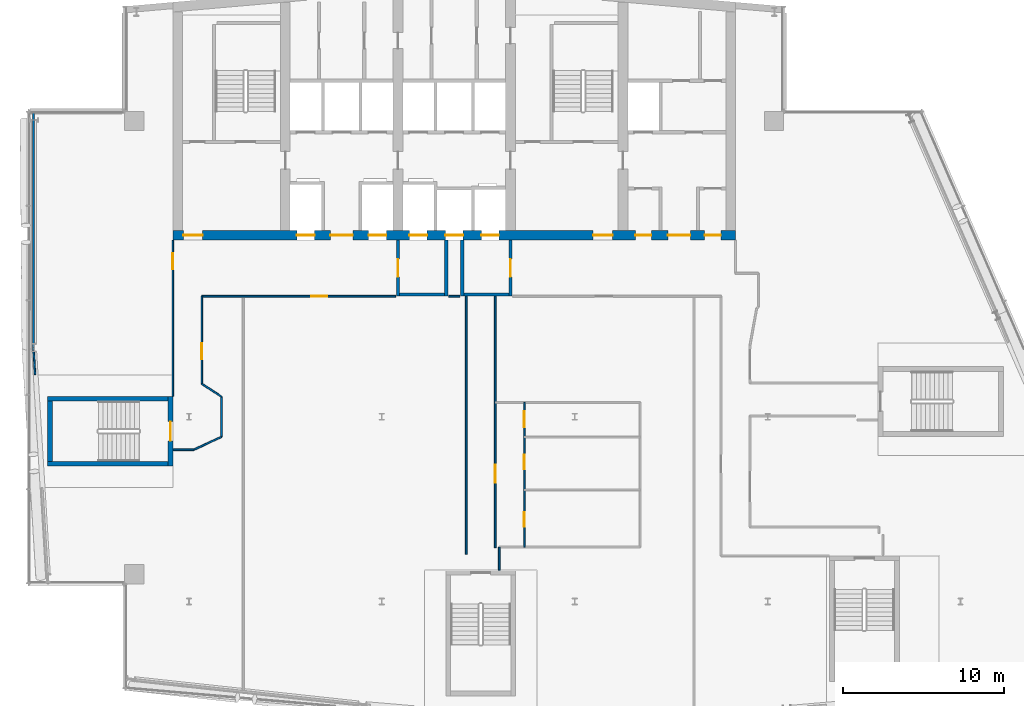
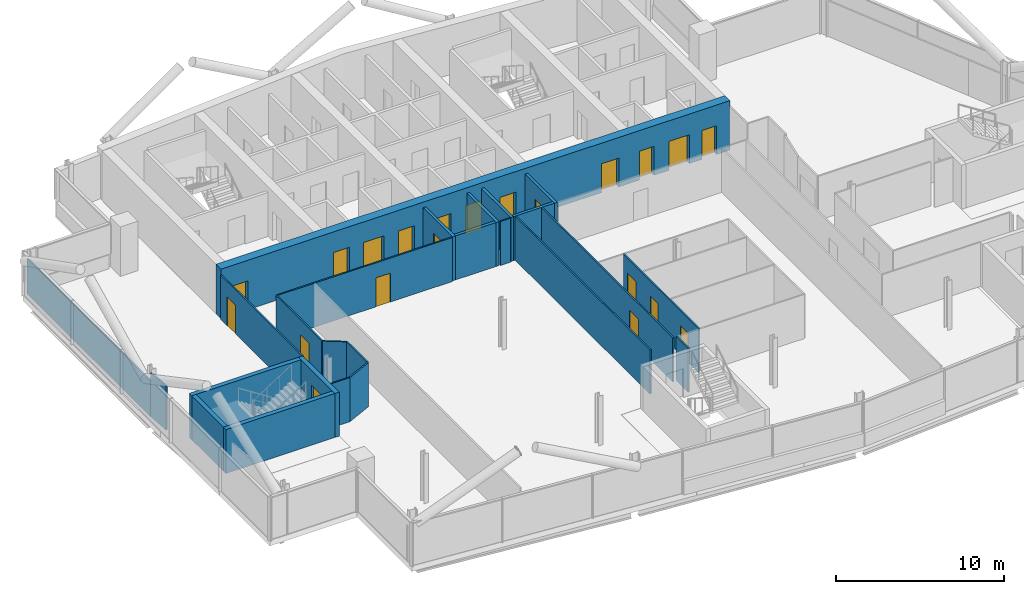
# One storey, part 15 of 25: 25 walls, 21 doors, 21 openings.
"""IFC4 building model written with IfcOpenShell, lengths in metres."""

import ifcopenshell
import ifcopenshell.guid

model = None  # the IFC model being written
_history = None  # IfcOwnerHistory: only IFC2X3 demands one
_inside = {}  # id of a spatial element -> (the spatial element, [elements in it])
_under = {}  # id of a project, library or spatial element -> (it, [spatial elements below it])
_declared = {}  # id of a project -> (the project, [libraries it declares])
_typed = {}  # id of a type object -> (the type object, [elements of that type])
_made_of = {}  # id of a material, layer set ... -> (it, [elements and type objects made of it])


def new_model(schema):
    """Start an empty IFC model of exactly this schema.

    Asked for "IFC4X3", IfcOpenShell would pick the latest addendum, in which some entities
    have other attributes; the version numbers below select the first issue.
    IFC2X3 requires an IfcOwnerHistory on every rooted entity: one is made here for all.
    """
    global model, _history
    if schema == "IFC4X3":
        model = ifcopenshell.file(schema_version=(4, 3, 0, 0))
    else:
        model = ifcopenshell.file(schema=schema)
    _inside.clear()
    _under.clear()
    _declared.clear()
    _typed.clear()
    _made_of.clear()
    _history = None
    if model.schema == "IFC2X3":
        org = make("IfcOrganization", Name="unknown")
        user = make(
            "IfcPersonAndOrganization",
            ThePerson=make("IfcPerson", FamilyName="unknown"),
            TheOrganization=org,
        )
        app = make(
            "IfcApplication",
            ApplicationDeveloper=org,
            Version="unknown",
            ApplicationFullName="unknown",
            ApplicationIdentifier="unknown",
        )
        _history = make(
            "IfcOwnerHistory",
            OwningUser=user,
            OwningApplication=app,
            ChangeAction="ADDED",
            CreationDate=0,
        )
    return model


def make(cls, **values):
    """One entity of the class cls with the attributes given. An attribute that is None is left unset."""
    return model.create_entity(
        cls, **{name: value for name, value in values.items() if value is not None}
    )


def rooted(cls, **values):
    """An entity with a GlobalId (a new one), such as an element, a storey or a relation."""
    return make(cls, GlobalId=ifcopenshell.guid.new(), OwnerHistory=_history, **values)


def si_unit(unit_type, name, prefix=None):
    """IfcSIUnit, for example si_unit("LENGTHUNIT", "METRE", prefix="MILLI")."""
    return make("IfcSIUnit", UnitType=unit_type, Prefix=prefix, Name=name)


def assignment(units):
    """IfcUnitAssignment: the units of a project."""
    return None if units is None else make("IfcUnitAssignment", Units=units)


def point(xyz):
    """IfcCartesianPoint."""
    return None if xyz is None else make("IfcCartesianPoint", Coordinates=xyz)


def direction(xyz):
    """IfcDirection."""
    return None if xyz is None else make("IfcDirection", DirectionRatios=xyz)


def frame(location, z_axis=None, x_axis=None):
    """IfcAxis2Placement3D, a coordinate frame: its origin and axes. An axis left out is left unset."""
    return make(
        "IfcAxis2Placement3D",
        Location=point(location),
        Axis=direction(z_axis),
        RefDirection=direction(x_axis),
    )


def frame_2d(location, x_axis=None):
    """IfcAxis2Placement2D, a coordinate frame in the plane: its origin and x axis."""
    return make(
        "IfcAxis2Placement2D", Location=point(location), RefDirection=direction(x_axis)
    )


def origin():
    """The frame at (0, 0, 0) with its axes left unset."""
    return frame((0.0, 0.0, 0.0))


def place(relative_to, where):
    """IfcLocalPlacement: puts the frame where relative to a parent placement (None: the world)."""
    return make(
        "IfcLocalPlacement", PlacementRelTo=relative_to, RelativePlacement=where
    )


def context(
    kind, dimensions, precision=None, world=None, true_north=None, identifier=None
):
    """IfcGeometricRepresentationContext, for example the 3D "Model" context."""
    return make(
        "IfcGeometricRepresentationContext",
        ContextIdentifier=identifier,
        ContextType=kind,
        CoordinateSpaceDimension=dimensions,
        Precision=precision,
        WorldCoordinateSystem=world,
        TrueNorth=true_north,
    )


def subcontext(parent, identifier, kind, view, scale=None):
    """IfcGeometricRepresentationSubContext, for example "Body" below "Model"."""
    return make(
        "IfcGeometricRepresentationSubContext",
        ContextIdentifier=identifier,
        ContextType=kind,
        ParentContext=parent,
        TargetScale=scale,
        TargetView=view,
    )


def project(units=None, contexts=None):
    """IfcProject with its units and contexts."""
    return rooted(
        "IfcProject",
        Name="project",
        RepresentationContexts=contexts,
        UnitsInContext=assignment(units),
    )


def spatial(cls, under=None, at=None, **own):
    """A site, building, storey or space (cls), placed at a placement, below another one or the project."""
    s = rooted(cls, ObjectPlacement=at, **own)
    if under is not None:
        _under.setdefault(under.id(), (under, []))[1].append(s)
    return s


def profile(cls, at=None, kind="AREA", **sizes):
    """A parametric profile (cls). Its sizes go by their IFC names, for example OverallWidth=200.0."""
    return make(cls, ProfileType=kind, Position=at, **sizes)


def rectangle(**sizes):
    """IfcRectangleProfileDef."""
    return profile("IfcRectangleProfileDef", **sizes)


def extrude(swept, where, along, depth):
    """IfcExtrudedAreaSolid: the profile swept, set in the frame where, extruded along a direction by depth."""
    return make(
        "IfcExtrudedAreaSolid",
        SweptArea=swept,
        Position=where,
        ExtrudedDirection=direction(along),
        Depth=depth,
    )


def shape(context_of_items, identifier, shape_type, items):
    """IfcShapeRepresentation: the items that make up one representation, for example the "Body"."""
    return make(
        "IfcShapeRepresentation",
        ContextOfItems=context_of_items,
        RepresentationIdentifier=identifier,
        RepresentationType=shape_type,
        Items=items,
    )


def material(Name=None, Category=None):
    """IfcMaterial."""
    return make("IfcMaterial", Name=Name, Category=Category)


def layer(
    of_material, thickness, ventilated=None, Name=None, Category=None, Priority=None
):
    """IfcMaterialLayer: one layer of a wall or slab, of a material (None: an air gap)."""
    return make(
        "IfcMaterialLayer",
        Material=of_material,
        LayerThickness=thickness,
        IsVentilated=ventilated,
        Name=Name,
        Category=Category,
        Priority=Priority,
    )


def layer_set(layers, Name=None):
    """IfcMaterialLayerSet."""
    return make("IfcMaterialLayerSet", MaterialLayers=layers, LayerSetName=Name)


def made_of(thing, what):
    """Note that an element or type object is made of a material, layer set ...; save() writes the relation."""
    if what is not None:
        _made_of.setdefault(what.id(), (what, []))[1].append(thing)
    return thing


def type_object(cls, material=None, **own):
    """A type object (cls), such as IfcWallType, which elements share."""
    return made_of(rooted(cls, **own), material)


def element(
    cls,
    number,
    at=None,
    inside=None,
    cuts=None,
    type_object=None,
    material=None,
    context=None,
    identifier="Body",
    shape_type=None,
    held_by="IfcProductDefinitionShape",
    body=None,
    shapes=None,
    **own,
):
    """One element of the class cls, such as IfcWall. Its Tag is "e" and its number.

    at: its placement. inside: the storey or other place that contains it. cuts: it is an
    opening in that element (IfcRelVoidsElement). A single representation is given by context,
    identifier, shape_type and body (its items); several are given by shapes. held_by: the class
    of the entity that holds the representations. save() writes the other relations.
    """
    e = rooted(cls, Tag="e%d" % number, ObjectPlacement=at, **own)
    if body is not None:
        shapes = [shape(context, identifier, shape_type, body)]
    if shapes is not None:
        e.Representation = make(held_by, Representations=shapes)
    if inside is not None:
        _inside.setdefault(inside.id(), (inside, []))[1].append(e)
    if cuts is not None:
        rooted(
            "IfcRelVoidsElement", RelatingBuildingElement=cuts, RelatedOpeningElement=e
        )
    if type_object is not None:
        _typed.setdefault(type_object.id(), (type_object, []))[1].append(e)
    return made_of(e, material)


def fill(opening, filler):
    """IfcRelFillsElement: the door or window that sits in an opening."""
    return rooted(
        "IfcRelFillsElement",
        RelatingOpeningElement=opening,
        RelatedBuildingElement=filler,
    )


def aggregate(whole, parts):
    """IfcRelAggregates: a whole, such as a stair, and the parts it consists of."""
    return rooted("IfcRelAggregates", RelatingObject=whole, RelatedObjects=parts)


def save(model, path):
    """Write the relations noted so far, then the file.

    IfcRelAggregates (storeys below a building ...), IfcRelContainedInSpatialStructure (elements
    in a storey), IfcRelDefinesByType, IfcRelAssociatesMaterial and IfcRelDeclares: one each for
    every whole, place, type object, material and project.
    """
    for whole, parts in _under.values():
        aggregate(whole, parts)
    for where, things in _inside.values():
        rooted(
            "IfcRelContainedInSpatialStructure",
            RelatedElements=things,
            RelatingStructure=where,
        )
    for kind, things in _typed.values():
        rooted("IfcRelDefinesByType", RelatedObjects=things, RelatingType=kind)
    for what, things in _made_of.values():
        rooted("IfcRelAssociatesMaterial", RelatedObjects=things, RelatingMaterial=what)
    for by, libraries in _declared.values():
        rooted("IfcRelDeclares", RelatingContext=by, RelatedDefinitions=libraries)
    model.write(path)


model = new_model("IFC4")

# Units and contexts
model_context = context("Model", 3, precision=1e-05, world=origin(), true_north=direction((0.0, 1.0)))
body_context = subcontext(model_context, "Body", "Model", "MODEL_VIEW")
ifc_project = project(units=[si_unit("LENGTHUNIT", "METRE"), si_unit("AREAUNIT", "SQUARE_METRE"), si_unit("VOLUMEUNIT", "CUBIC_METRE"), si_unit("PLANEANGLEUNIT", "RADIAN"), si_unit("MASSUNIT", "GRAM", prefix="KILO")], contexts=[model_context])

# Site, building, storey
site_placement = place(None, origin())
site = spatial("IfcSite", under=ifc_project, at=site_placement, CompositionType="ELEMENT")
building_placement = place(site_placement, origin())
building = spatial("IfcBuilding", under=site, at=building_placement, Name="Wharfspan Tower", CompositionType="ELEMENT")
storey_placement = place(building_placement, frame((0.0, 0.0, 239.5)))
storey = spatial("IfcBuildingStorey", under=building, at=storey_placement, Name="L60", CompositionType="ELEMENT", Elevation=239.5)

# Wall, opening, door
ifc_material_1 = material(Name="Gypsum board on steel studs", Category="steel")
ifc_layer_1 = layer(ifc_material_1, 0.100098)
ifc_layer_set_1 = layer_set([ifc_layer_1], Name="Gypsum board on steel studs")
wall_type_1 = type_object("IfcWallType", Name="Compartment wall 100 EI 60", PredefinedType="PARTITIONING", material=ifc_layer_set_1)
wall_1_placement = place(storey_placement, frame((23.0, 24.274902, 0.0), z_axis=(0.0, 0.0, 1.0), x_axis=(0.0, 1.0, 0.0)))
wall_1 = element("IfcWall", 1, at=wall_1_placement, inside=storey, type_object=wall_type_1, Name="Partition L60.w004", PredefinedType="PARTITIONING", context=body_context, shape_type="SweptSolid", body=[
    extrude(rectangle(XDim=9.705078, YDim=0.100098, at=frame_2d((4.852539, 0.0))), origin(), (0.0, 0.0, 1.0), 3.199951),
])
opening_1_placement = place(wall_1_placement, frame((7.905029, 0.0, 0.0)))
opening_1 = element("IfcOpeningElement", 2, at=opening_1_placement, cuts=wall_1, Name="Opening D4-11", PredefinedType="OPENING", context=body_context, shape_type="SweptSolid", body=[
    extrude(rectangle(XDim=1.0, YDim=2.100098, at=frame_2d((0.5, 1.050049))), frame((0.0, 0.060059, 0.0), z_axis=(0.0, -1.0, 0.0), x_axis=(1.0, 0.0, 0.0)), (0.0, 0.0, 1.0), 0.120117),
])
ifc_material_2 = material(Name="Fire-rated timber door leaf in steel frame", Category="steel")
door_type_1 = type_object("IfcDoorType", Name="Door 1000 FD30S Right", OperationType="SINGLE_SWING_RIGHT", PredefinedType="DOOR", material=ifc_material_2)
door_1_placement = place(opening_1_placement, origin())
door_1 = element("IfcDoor", 3, at=door_1_placement, inside=storey, type_object=door_type_1, Name="Door D4-11", OperationType="SINGLE_SWING_RIGHT", OverallHeight=2.100098, OverallWidth=1.0, PredefinedType="DOOR", context=body_context, shape_type="SweptSolid", body=[
    extrude(rectangle(XDim=1.0, YDim=2.100098, at=frame_2d((0.5, 1.050049))), frame((0.0, 0.024902, 0.0), z_axis=(0.0, -1.0, 0.0), x_axis=(1.0, 0.0, 0.0)), (0.0, 0.0, 1.0), 0.050049),
])
fill(opening_1, door_1)

# Walls
wall_2_placement = place(storey_placement, frame((23.02002, 20.949951, 0.0), z_axis=(0.0, 0.0, 1.0), x_axis=(1.0, 0.0, 0.0)))
element("IfcWall", 4, at=wall_2_placement, inside=storey, type_object=wall_type_1, Name="Partition L60.w005", PredefinedType="PARTITIONING", context=body_context, shape_type="SweptSolid", body=[
    extrude(rectangle(XDim=1.280029, YDim=0.100098, at=frame_2d((0.640137, 0.0))), origin(), (0.0, 0.0, 1.0), 3.199951),
])
wall_3_placement = place(storey_placement, frame((24.300049, 20.949951, 0.0), z_axis=(0.0, 0.0, 1.0), x_axis=(0.907168, 0.420777, 0.0)))
element("IfcWall", 5, at=wall_3_placement, inside=storey, type_object=wall_type_1, Name="Partition L60.w006", PredefinedType="PARTITIONING", context=body_context, shape_type="SweptSolid", body=[
    extrude(rectangle(XDim=1.901367, YDim=0.100098, at=frame_2d((0.950684, 0.0))), origin(), (0.0, 0.0, 1.0), 3.199951),
])

# Wall, opening, door
wall_4_placement = place(storey_placement, frame((24.800049, 25.050049, 0.0), z_axis=(0.0, 0.0, 1.0), x_axis=(0.0, 1.0, 0.0)))
wall_4 = element("IfcWall", 6, at=wall_4_placement, inside=storey, type_object=wall_type_1, Name="Partition L60.w007", PredefinedType="PARTITIONING", context=body_context, shape_type="SweptSolid", body=[
    extrude(rectangle(XDim=5.449951, YDim=0.100098, at=frame_2d((2.725098, 0.0))), origin(), (0.0, 0.0, 1.0), 3.199951),
])
opening_2_placement = place(wall_4_placement, frame((1.536865, 0.0, 0.0)))
opening_2 = element("IfcOpeningElement", 7, at=opening_2_placement, cuts=wall_4, Name="Opening D4-08", PredefinedType="OPENING", context=body_context, shape_type="SweptSolid", body=[
    extrude(rectangle(XDim=1.0, YDim=2.100098, at=frame_2d((0.5, 1.050049))), frame((0.0, 0.060059, 0.0), z_axis=(0.0, -1.0, 0.0), x_axis=(1.0, 0.0, 0.0)), (0.0, 0.0, 1.0), 0.120117),
])
door_type_2 = type_object("IfcDoorType", Name="Door 1000 FD30S Left", OperationType="SINGLE_SWING_LEFT", PredefinedType="DOOR", material=ifc_material_2)
door_2_placement = place(opening_2_placement, origin())
door_2 = element("IfcDoor", 8, at=door_2_placement, inside=storey, type_object=door_type_2, Name="Door D4-08", OperationType="SINGLE_SWING_LEFT", OverallHeight=2.100098, OverallWidth=1.0, PredefinedType="DOOR", context=body_context, shape_type="SweptSolid", body=[
    extrude(rectangle(XDim=1.0, YDim=2.100098, at=frame_2d((0.5, 1.050049))), frame((0.0, 0.024902, 0.0), z_axis=(0.0, -1.0, 0.0), x_axis=(1.0, 0.0, 0.0)), (0.0, 0.0, 1.0), 0.050049),
])
fill(opening_2, door_2)

wall_5_placement = place(storey_placement, frame((24.800049, 30.5, 0.0), z_axis=(0.0, 0.0, 1.0), x_axis=(1.0, 0.0, 0.0)))
wall_5 = element("IfcWall", 9, at=wall_5_placement, inside=storey, type_object=wall_type_1, Name="Partition L60.w008", PredefinedType="PARTITIONING", context=body_context, shape_type="SweptSolid", body=[
    extrude(rectangle(XDim=12.050049, YDim=0.100098, at=frame_2d((6.024902, 0.0))), origin(), (0.0, 0.0, 1.0), 3.199951),
])
opening_3_placement = place(wall_5_placement, frame((6.794922, 0.0, 0.0)))
opening_3 = element("IfcOpeningElement", 10, at=opening_3_placement, cuts=wall_5, Name="Opening D4-09", PredefinedType="OPENING", context=body_context, shape_type="SweptSolid", body=[
    extrude(rectangle(XDim=1.0, YDim=2.100098, at=frame_2d((0.5, 1.050049))), frame((0.0, 0.060059, 0.0), z_axis=(0.0, -1.0, 0.0), x_axis=(1.0, 0.0, 0.0)), (0.0, 0.0, 1.0), 0.120117),
])
door_3_placement = place(opening_3_placement, origin())
door_3 = element("IfcDoor", 11, at=door_3_placement, inside=storey, type_object=door_type_2, Name="Door D4-09", OperationType="SINGLE_SWING_LEFT", OverallHeight=2.100098, OverallWidth=1.0, PredefinedType="DOOR", context=body_context, shape_type="SweptSolid", body=[
    extrude(rectangle(XDim=1.0, YDim=2.100098, at=frame_2d((0.5, 1.050049))), frame((0.0, 0.024902, 0.0), z_axis=(0.0, -1.0, 0.0), x_axis=(1.0, 0.0, 0.0)), (0.0, 0.0, 1.0), 0.050049),
])
fill(opening_3, door_3)

# Walls
wall_6_placement = place(storey_placement, frame((26.024902, 21.75, 0.0), z_axis=(0.0, 0.0, 1.0), x_axis=(0.0, 1.0, 0.0)))
element("IfcWall", 12, at=wall_6_placement, inside=storey, type_object=wall_type_1, Name="Partition L60.w009", PredefinedType="PARTITIONING", context=body_context, shape_type="SweptSolid", body=[
    extrude(rectangle(XDim=2.5, YDim=0.100098, at=frame_2d((1.25, 0.0))), origin(), (0.0, 0.0, 1.0), 3.199951),
])
wall_7_placement = place(storey_placement, frame((26.024902, 24.25, 0.0), z_axis=(0.0, 0.0, 1.0), x_axis=(-0.837222, 0.546856, 0.0)))
element("IfcWall", 13, at=wall_7_placement, inside=storey, type_object=wall_type_1, Name="Partition L60.w010", PredefinedType="PARTITIONING", context=body_context, shape_type="SweptSolid", body=[
    extrude(rectangle(XDim=1.462891, YDim=0.100098, at=frame_2d((0.731445, 0.0))), origin(), (0.0, 0.0, 1.0), 3.199951),
])
wall_8_placement = place(storey_placement, frame((41.25, 14.443115, 0.0), z_axis=(0.0, 0.0, 1.0), x_axis=(0.0, 1.0, 0.0)))
element("IfcWall", 14, at=wall_8_placement, inside=storey, type_object=wall_type_1, Name="Partition L60.w013", PredefinedType="PARTITIONING", context=body_context, shape_type="SweptSolid", body=[
    extrude(rectangle(XDim=16.056885, YDim=0.100098, at=frame_2d((8.02832, 0.0))), origin(), (0.0, 0.0, 1.0), 3.199951),
])

# Wall, opening, door
wall_9_placement = place(storey_placement, frame((43.054932, 14.860107, 0.0), z_axis=(0.0, 0.0, 1.0), x_axis=(0.0, 1.0, 0.0)))
wall_9 = element("IfcWall", 15, at=wall_9_placement, inside=storey, type_object=wall_type_1, Name="Partition L60.w014", PredefinedType="PARTITIONING", context=body_context, shape_type="SweptSolid", body=[
    extrude(rectangle(XDim=15.639893, YDim=0.100098, at=frame_2d((7.819824, 0.0))), origin(), (0.0, 0.0, 1.0), 3.199951),
])
opening_4_placement = place(wall_9_placement, frame((4.050049, 0.0, 0.0)))
opening_4 = element("IfcOpeningElement", 16, at=opening_4_placement, cuts=wall_9, Name="Opening D4-03", PredefinedType="OPENING", context=body_context, shape_type="SweptSolid", body=[
    extrude(rectangle(XDim=1.100098, YDim=2.100098, at=frame_2d((0.550049, 1.050049))), frame((0.0, 0.060059, 0.0), z_axis=(0.0, -1.0, 0.0), x_axis=(1.0, 0.0, 0.0)), (0.0, 0.0, 1.0), 0.120117),
])
door_type_3 = type_object("IfcDoorType", Name="Door 1100 FD30S Left", OperationType="SINGLE_SWING_LEFT", PredefinedType="DOOR", material=ifc_material_2)
door_4_placement = place(opening_4_placement, origin())
door_4 = element("IfcDoor", 17, at=door_4_placement, inside=storey, type_object=door_type_3, Name="Door D4-03", OperationType="SINGLE_SWING_LEFT", OverallHeight=2.100098, OverallWidth=1.100098, PredefinedType="DOOR", context=body_context, shape_type="SweptSolid", body=[
    extrude(rectangle(XDim=1.100098, YDim=2.100098, at=frame_2d((0.550049, 1.050049))), frame((0.0, 0.024902, 0.0), z_axis=(0.0, -1.0, 0.0), x_axis=(1.0, 0.0, 0.0)), (0.0, 0.0, 1.0), 0.050049),
])
fill(opening_4, door_4)

# Walls
wall_10_placement = place(storey_placement, frame((43.304932, 13.463135, 0.0), z_axis=(0.0, 0.0, 1.0), x_axis=(0.0, 1.0, 0.0)))
element("IfcWall", 18, at=wall_10_placement, inside=storey, type_object=wall_type_1, Name="Partition L60.w017", PredefinedType="PARTITIONING", context=body_context, shape_type="SweptSolid", body=[
    extrude(rectangle(XDim=1.431885, YDim=0.100098, at=frame_2d((0.71582, 0.0))), origin(), (0.0, 0.0, 1.0), 3.199951),
])
wall_11_placement = place(storey_placement, frame((40.149902, 30.5, 0.0), z_axis=(0.0, 0.0, 1.0), x_axis=(1.0, 0.0, 0.0)))
element("IfcWall", 19, at=wall_11_placement, inside=storey, type_object=wall_type_1, Name="Partition L60.w008 (2)", PredefinedType="PARTITIONING", context=body_context, shape_type="SweptSolid", body=[
    extrude(rectangle(XDim=0.700195, YDim=0.100098, at=frame_2d((0.350098, 0.0))), origin(), (0.0, 0.0, 1.0), 3.199951),
])

# Wall, openings, doors
ifc_material_3 = material(Name="Concrete C50/60", Category="concrete")
ifc_layer_2 = layer(ifc_material_3, 0.600098)
ifc_layer_set_2 = layer_set([ifc_layer_2], Name="Concrete C50/60")
wall_type_2 = type_object("IfcWallType", Name="Core wall 600 C50/60", PredefinedType="SHEAR", material=ifc_layer_set_2)
wall_12_placement = place(storey_placement, frame((23.0, 34.300049, 0.0), z_axis=(0.0, 0.0, 1.0), x_axis=(1.0, 0.0, 0.0)))
wall_12 = element("IfcWall", 20, at=wall_12_placement, inside=storey, type_object=wall_type_2, Name="Core front wall L60", PredefinedType="SHEAR", context=body_context, shape_type="SweptSolid", body=[
    extrude(rectangle(XDim=35.0, YDim=0.600098, at=frame_2d((17.5, 0.0))), origin(), (0.0, 0.0, 1.0), 3.600098),
])
opening_5_placement = place(wall_12_placement, frame((0.649902, 0.0, 0.0)))
opening_5 = element("IfcOpeningElement", 21, at=opening_5_placement, cuts=wall_12, Name="Opening SV2.L60", PredefinedType="OPENING", context=body_context, shape_type="SweptSolid", body=[
    extrude(rectangle(XDim=1.199951, YDim=2.100098, at=frame_2d((0.600098, 1.050049))), frame((0.0, 0.310059, 0.0), z_axis=(0.0, -1.0, 0.0), x_axis=(1.0, 0.0, 0.0)), (0.0, 0.0, 1.0), 0.620117),
])
opening_6_placement = place(wall_12_placement, frame((7.716797, 0.0, 0.0)))
opening_6 = element("IfcOpeningElement", 22, at=opening_6_placement, cuts=wall_12, Name="Opening LD.SL1.L60", PredefinedType="OPENING", context=body_context, shape_type="SweptSolid", body=[
    extrude(rectangle(XDim=1.100098, YDim=2.100098, at=frame_2d((0.550049, 1.050049))), frame((0.0, 0.310059, 0.0), z_axis=(0.0, -1.0, 0.0), x_axis=(1.0, 0.0, 0.0)), (0.0, 0.0, 1.0), 0.620117),
])
opening_7_placement = place(wall_12_placement, frame((12.18335, 0.0, 0.0)))
opening_7 = element("IfcOpeningElement", 23, at=opening_7_placement, cuts=wall_12, Name="Opening LD.SL2.L60", PredefinedType="OPENING", context=body_context, shape_type="SweptSolid", body=[
    extrude(rectangle(XDim=1.100098, YDim=2.100098, at=frame_2d((0.550049, 1.050049))), frame((0.0, 0.310059, 0.0), z_axis=(0.0, -1.0, 0.0), x_axis=(1.0, 0.0, 0.0)), (0.0, 0.0, 1.0), 0.620117),
])
opening_8_placement = place(wall_12_placement, frame((9.800049, 0.0, 0.0)))
opening_8 = element("IfcOpeningElement", 24, at=opening_8_placement, cuts=wall_12, Name="Opening HD60.3", PredefinedType="OPENING", context=body_context, shape_type="SweptSolid", body=[
    extrude(rectangle(XDim=1.399902, YDim=2.100098, at=frame_2d((0.699951, 1.050049))), frame((0.0, 0.310059, 0.0), z_axis=(0.0, -1.0, 0.0), x_axis=(1.0, 0.0, 0.0)), (0.0, 0.0, 1.0), 0.620117),
])
opening_9_placement = place(wall_12_placement, frame((14.716797, 0.0, 0.0)))
opening_9 = element("IfcOpeningElement", 25, at=opening_9_placement, cuts=wall_12, Name="Opening LD.FF1.L60", PredefinedType="OPENING", context=body_context, shape_type="SweptSolid", body=[
    extrude(rectangle(XDim=1.100098, YDim=2.100098, at=frame_2d((0.550049, 1.050049))), frame((0.0, 0.310059, 0.0), z_axis=(0.0, -1.0, 0.0), x_axis=(1.0, 0.0, 0.0)), (0.0, 0.0, 1.0), 0.620117),
])
opening_10_placement = place(wall_12_placement, frame((16.949951, 0.0, 0.0)))
opening_10 = element("IfcOpeningElement", 26, at=opening_10_placement, cuts=wall_12, Name="Opening LD.LB7.L60", PredefinedType="OPENING", context=body_context, shape_type="SweptSolid", body=[
    extrude(rectangle(XDim=1.100098, YDim=2.100098, at=frame_2d((0.550049, 1.050049))), frame((0.0, 0.310059, 0.0), z_axis=(0.0, -1.0, 0.0), x_axis=(1.0, 0.0, 0.0)), (0.0, 0.0, 1.0), 0.620117),
])
opening_11_placement = place(wall_12_placement, frame((19.18335, 0.0, 0.0)))
opening_11 = element("IfcOpeningElement", 27, at=opening_11_placement, cuts=wall_12, Name="Opening LD.FF2.L60", PredefinedType="OPENING", context=body_context, shape_type="SweptSolid", body=[
    extrude(rectangle(XDim=1.100098, YDim=2.100098, at=frame_2d((0.550049, 1.050049))), frame((0.0, 0.310059, 0.0), z_axis=(0.0, -1.0, 0.0), x_axis=(1.0, 0.0, 0.0)), (0.0, 0.0, 1.0), 0.620117),
])
opening_12_placement = place(wall_12_placement, frame((26.149902, 0.0, 0.0)))
opening_12 = element("IfcOpeningElement", 28, at=opening_12_placement, cuts=wall_12, Name="Opening SV5.L60", PredefinedType="OPENING", context=body_context, shape_type="SweptSolid", body=[
    extrude(rectangle(XDim=1.199951, YDim=2.100098, at=frame_2d((0.600098, 1.050049))), frame((0.0, 0.310059, 0.0), z_axis=(0.0, -1.0, 0.0), x_axis=(1.0, 0.0, 0.0)), (0.0, 0.0, 1.0), 0.620117),
])
opening_13_placement = place(wall_12_placement, frame((28.766602, 0.0, 0.0)))
opening_13 = element("IfcOpeningElement", 29, at=opening_13_placement, cuts=wall_12, Name="Opening CD60.6F1", PredefinedType="OPENING", context=body_context, shape_type="SweptSolid", body=[
    extrude(rectangle(XDim=1.0, YDim=2.100098, at=frame_2d((0.5, 1.050049))), frame((0.0, 0.310059, 0.0), z_axis=(0.0, -1.0, 0.0), x_axis=(1.0, 0.0, 0.0)), (0.0, 0.0, 1.0), 0.620117),
])
opening_14_placement = place(wall_12_placement, frame((33.083252, 0.0, 0.0)))
opening_14 = element("IfcOpeningElement", 30, at=opening_14_placement, cuts=wall_12, Name="Opening CD60.6F3", PredefinedType="OPENING", context=body_context, shape_type="SweptSolid", body=[
    extrude(rectangle(XDim=1.0, YDim=2.100098, at=frame_2d((0.5, 1.050049))), frame((0.0, 0.310059, 0.0), z_axis=(0.0, -1.0, 0.0), x_axis=(1.0, 0.0, 0.0)), (0.0, 0.0, 1.0), 0.620117),
])
opening_15_placement = place(wall_12_placement, frame((30.800049, 0.0, 0.0)))
opening_15 = element("IfcOpeningElement", 31, at=opening_15_placement, cuts=wall_12, Name="Opening HD60.6", PredefinedType="OPENING", context=body_context, shape_type="SweptSolid", body=[
    extrude(rectangle(XDim=1.399902, YDim=2.100098, at=frame_2d((0.699951, 1.050049))), frame((0.0, 0.310059, 0.0), z_axis=(0.0, -1.0, 0.0), x_axis=(1.0, 0.0, 0.0)), (0.0, 0.0, 1.0), 0.620117),
])
ifc_material_4 = material(Name="Steel door leaf", Category="steel")
door_type_4 = type_object("IfcDoorType", Name="Core room door 1000x2100", OperationType="SINGLE_SWING_LEFT", PredefinedType="DOOR", material=ifc_material_4)
door_5_placement = place(opening_13_placement, origin())
door_5 = element("IfcDoor", 32, at=door_5_placement, inside=storey, type_object=door_type_4, Name="d:L60:6:fd6.1", OperationType="SINGLE_SWING_LEFT", OverallHeight=2.100098, OverallWidth=1.0, PredefinedType="DOOR", context=body_context, shape_type="SweptSolid", body=[
    extrude(rectangle(XDim=1.0, YDim=2.100098, at=frame_2d((0.5, 1.050049))), frame((0.0, 0.024902, 0.0), z_axis=(0.0, -1.0, 0.0), x_axis=(1.0, 0.0, 0.0)), (0.0, 0.0, 1.0), 0.050049),
])
fill(opening_13, door_5)
door_6_placement = place(opening_14_placement, origin())
door_6 = element("IfcDoor", 33, at=door_6_placement, inside=storey, type_object=door_type_4, Name="d:L60:6:fd6.3", OperationType="SINGLE_SWING_LEFT", OverallHeight=2.100098, OverallWidth=1.0, PredefinedType="DOOR", context=body_context, shape_type="SweptSolid", body=[
    extrude(rectangle(XDim=1.0, YDim=2.100098, at=frame_2d((0.5, 1.050049))), frame((0.0, 0.024902, 0.0), z_axis=(0.0, -1.0, 0.0), x_axis=(1.0, 0.0, 0.0)), (0.0, 0.0, 1.0), 0.050049),
])
fill(opening_14, door_6)
door_type_5 = type_object("IfcDoorType", Name="Hall entry door 1400x2100", OperationType="DOUBLE_DOOR_SINGLE_SWING", PredefinedType="DOOR", material=ifc_material_4)
door_7_placement = place(opening_8_placement, origin())
door_7 = element("IfcDoor", 34, at=door_7_placement, inside=storey, type_object=door_type_5, Name="d:L60:3:hd3", OperationType="DOUBLE_DOOR_SINGLE_SWING", OverallHeight=2.100098, OverallWidth=1.399902, PredefinedType="DOOR", context=body_context, shape_type="SweptSolid", body=[
    extrude(rectangle(XDim=1.399902, YDim=2.100098, at=frame_2d((0.699951, 1.050049))), frame((0.0, 0.024902, 0.0), z_axis=(0.0, -1.0, 0.0), x_axis=(1.0, 0.0, 0.0)), (0.0, 0.0, 1.0), 0.050049),
])
fill(opening_8, door_7)
door_8_placement = place(opening_15_placement, origin())
door_8 = element("IfcDoor", 35, at=door_8_placement, inside=storey, type_object=door_type_5, Name="d:L60:6:hd6", OperationType="DOUBLE_DOOR_SINGLE_SWING", OverallHeight=2.100098, OverallWidth=1.399902, PredefinedType="DOOR", context=body_context, shape_type="SweptSolid", body=[
    extrude(rectangle(XDim=1.399902, YDim=2.100098, at=frame_2d((0.699951, 1.050049))), frame((0.0, 0.024902, 0.0), z_axis=(0.0, -1.0, 0.0), x_axis=(1.0, 0.0, 0.0)), (0.0, 0.0, 1.0), 0.050049),
])
fill(opening_15, door_8)
ifc_material_5 = material(Name="Stainless steel", Category="steel")
door_type_6 = type_object("IfcDoorType", Name="Lift landing door 1100x2100", OperationType="DOUBLE_DOOR_SLIDING", PredefinedType="DOOR", material=ifc_material_5)
door_9_placement = place(opening_6_placement, origin())
door_9 = element("IfcDoor", 36, at=door_9_placement, inside=storey, type_object=door_type_6, Name="Landing door SL1 L60", OperationType="DOUBLE_DOOR_SLIDING", OverallHeight=2.100098, OverallWidth=1.100098, PredefinedType="DOOR", context=body_context, shape_type="SweptSolid", body=[
    extrude(rectangle(XDim=1.100098, YDim=2.100098, at=frame_2d((0.550049, 1.050049))), frame((0.0, 0.024902, 0.0), z_axis=(0.0, -1.0, 0.0), x_axis=(1.0, 0.0, 0.0)), (0.0, 0.0, 1.0), 0.050049),
])
fill(opening_6, door_9)
door_10_placement = place(opening_7_placement, origin())
door_10 = element("IfcDoor", 37, at=door_10_placement, inside=storey, type_object=door_type_6, Name="Landing door SL2 L60", OperationType="DOUBLE_DOOR_SLIDING", OverallHeight=2.100098, OverallWidth=1.100098, PredefinedType="DOOR", context=body_context, shape_type="SweptSolid", body=[
    extrude(rectangle(XDim=1.100098, YDim=2.100098, at=frame_2d((0.550049, 1.050049))), frame((0.0, 0.024902, 0.0), z_axis=(0.0, -1.0, 0.0), x_axis=(1.0, 0.0, 0.0)), (0.0, 0.0, 1.0), 0.050049),
])
fill(opening_7, door_10)
door_11_placement = place(opening_9_placement, origin())
door_11 = element("IfcDoor", 38, at=door_11_placement, inside=storey, type_object=door_type_6, Name="Landing door FF1 L60", OperationType="DOUBLE_DOOR_SLIDING", OverallHeight=2.100098, OverallWidth=1.100098, PredefinedType="DOOR", context=body_context, shape_type="SweptSolid", body=[
    extrude(rectangle(XDim=1.100098, YDim=2.100098, at=frame_2d((0.550049, 1.050049))), frame((0.0, 0.024902, 0.0), z_axis=(0.0, -1.0, 0.0), x_axis=(1.0, 0.0, 0.0)), (0.0, 0.0, 1.0), 0.050049),
])
fill(opening_9, door_11)
door_12_placement = place(opening_10_placement, origin())
door_12 = element("IfcDoor", 39, at=door_12_placement, inside=storey, type_object=door_type_6, Name="Landing door LB7 L60", OperationType="DOUBLE_DOOR_SLIDING", OverallHeight=2.100098, OverallWidth=1.100098, PredefinedType="DOOR", context=body_context, shape_type="SweptSolid", body=[
    extrude(rectangle(XDim=1.100098, YDim=2.100098, at=frame_2d((0.550049, 1.050049))), frame((0.0, 0.024902, 0.0), z_axis=(0.0, -1.0, 0.0), x_axis=(1.0, 0.0, 0.0)), (0.0, 0.0, 1.0), 0.050049),
])
fill(opening_10, door_12)
door_13_placement = place(opening_11_placement, origin())
door_13 = element("IfcDoor", 40, at=door_13_placement, inside=storey, type_object=door_type_6, Name="Landing door FF2 L60", OperationType="DOUBLE_DOOR_SLIDING", OverallHeight=2.100098, OverallWidth=1.100098, PredefinedType="DOOR", context=body_context, shape_type="SweptSolid", body=[
    extrude(rectangle(XDim=1.100098, YDim=2.100098, at=frame_2d((0.550049, 1.050049))), frame((0.0, 0.024902, 0.0), z_axis=(0.0, -1.0, 0.0), x_axis=(1.0, 0.0, 0.0)), (0.0, 0.0, 1.0), 0.050049),
])
fill(opening_11, door_13)
door_type_7 = type_object("IfcDoorType", Name="Stair door 1200x2100", OperationType="SINGLE_SWING_LEFT", PredefinedType="DOOR", material=ifc_material_4)
door_14_placement = place(opening_5_placement, origin())
door_14 = element("IfcDoor", 41, at=door_14_placement, inside=storey, type_object=door_type_7, Name="vd:L60:2", OperationType="SINGLE_SWING_LEFT", OverallHeight=2.100098, OverallWidth=1.199951, PredefinedType="DOOR", context=body_context, shape_type="SweptSolid", body=[
    extrude(rectangle(XDim=1.199951, YDim=2.100098, at=frame_2d((0.600098, 1.050049))), frame((0.0, 0.024902, 0.0), z_axis=(0.0, -1.0, 0.0), x_axis=(1.0, 0.0, 0.0)), (0.0, 0.0, 1.0), 0.050049),
])
fill(opening_5, door_14)
door_15_placement = place(opening_12_placement, origin())
door_15 = element("IfcDoor", 42, at=door_15_placement, inside=storey, type_object=door_type_7, Name="vd:L60:5", OperationType="SINGLE_SWING_LEFT", OverallHeight=2.100098, OverallWidth=1.199951, PredefinedType="DOOR", context=body_context, shape_type="SweptSolid", body=[
    extrude(rectangle(XDim=1.199951, YDim=2.100098, at=frame_2d((0.600098, 1.050049))), frame((0.0, 0.024902, 0.0), z_axis=(0.0, -1.0, 0.0), x_axis=(1.0, 0.0, 0.0)), (0.0, 0.0, 1.0), 0.050049),
])
fill(opening_12, door_15)

# Wall, opening, door
ifc_material_6 = material(Name="Concrete C30/37", Category="concrete")
ifc_layer_3 = layer(ifc_material_6, 0.199951)
ifc_layer_set_3 = layer_set([ifc_layer_3], Name="Concrete C30/37")
wall_type_3 = type_object("IfcWallType", Name="Lobby wall 200", PredefinedType="PARTITIONING", material=ifc_layer_set_3)
wall_13_placement = place(storey_placement, frame((37.0, 30.5, 0.0), z_axis=(0.0, 0.0, 1.0), x_axis=(0.0, 1.0, 0.0)))
wall_13 = element("IfcWall", 43, at=wall_13_placement, inside=storey, type_object=wall_type_3, Name="sw:L60:FLFF1W", PredefinedType="PARTITIONING", context=body_context, shape_type="SweptSolid", body=[
    extrude(rectangle(XDim=3.5, YDim=0.199951, at=frame_2d((1.75, 0.0))), origin(), (0.0, 0.0, 1.0), 3.199951),
])
opening_16_placement = place(wall_13_placement, frame((1.199951, 0.0, 0.0)))
opening_16 = element("IfcOpeningElement", 44, at=opening_16_placement, cuts=wall_13, Name="Opening FL.FF1.L60", PredefinedType="OPENING", context=body_context, shape_type="SweptSolid", body=[
    extrude(rectangle(XDim=1.100098, YDim=2.100098, at=frame_2d((0.550049, 1.050049))), frame((0.0, 0.109863, 0.0), z_axis=(0.0, -1.0, 0.0), x_axis=(1.0, 0.0, 0.0)), (0.0, 0.0, 1.0), 0.219971),
])
door_type_8 = type_object("IfcDoorType", Name="Firefighting lobby door 1100x2100", OperationType="SINGLE_SWING_LEFT", PredefinedType="DOOR", material=ifc_material_4)
door_16_placement = place(opening_16_placement, origin())
door_16 = element("IfcDoor", 45, at=door_16_placement, inside=storey, type_object=door_type_8, Name="fd:L60:FF1", OperationType="SINGLE_SWING_LEFT", OverallHeight=2.100098, OverallWidth=1.100098, PredefinedType="DOOR", context=body_context, shape_type="SweptSolid", body=[
    extrude(rectangle(XDim=1.100098, YDim=2.100098, at=frame_2d((0.550049, 1.050049))), frame((0.0, 0.024902, 0.0), z_axis=(0.0, -1.0, 0.0), x_axis=(1.0, 0.0, 0.0)), (0.0, 0.0, 1.0), 0.050049),
])
fill(opening_16, door_16)

# Walls
wall_14_placement = place(storey_placement, frame((40.0, 30.5, 0.0), z_axis=(0.0, 0.0, 1.0), x_axis=(0.0, 1.0, 0.0)))
element("IfcWall", 46, at=wall_14_placement, inside=storey, type_object=wall_type_3, Name="sw:L60:FLFF1E", PredefinedType="PARTITIONING", context=body_context, shape_type="SweptSolid", body=[
    extrude(rectangle(XDim=3.5, YDim=0.199951, at=frame_2d((1.75, 0.0))), origin(), (0.0, 0.0, 1.0), 3.199951),
])
wall_15_placement = place(storey_placement, frame((37.100098, 30.600098, 0.0), z_axis=(0.0, 0.0, 1.0), x_axis=(1.0, 0.0, 0.0)))
element("IfcWall", 47, at=wall_15_placement, inside=storey, type_object=wall_type_3, Name="sw:L60:FLFF1F", PredefinedType="PARTITIONING", context=body_context, shape_type="SweptSolid", body=[
    extrude(rectangle(XDim=2.799805, YDim=0.199951, at=frame_2d((1.399902, 0.0))), origin(), (0.0, 0.0, 1.0), 3.199951),
])
wall_16_placement = place(storey_placement, frame((41.0, 30.5, 0.0), z_axis=(0.0, 0.0, 1.0), x_axis=(0.0, 1.0, 0.0)))
element("IfcWall", 48, at=wall_16_placement, inside=storey, type_object=wall_type_3, Name="sw:L60:FLFF2W", PredefinedType="PARTITIONING", context=body_context, shape_type="SweptSolid", body=[
    extrude(rectangle(XDim=3.5, YDim=0.199951, at=frame_2d((1.75, 0.0))), origin(), (0.0, 0.0, 1.0), 3.199951),
])

# Wall, opening, door
wall_17_placement = place(storey_placement, frame((44.0, 30.5, 0.0), z_axis=(0.0, 0.0, 1.0), x_axis=(0.0, 1.0, 0.0)))
wall_17 = element("IfcWall", 49, at=wall_17_placement, inside=storey, type_object=wall_type_3, Name="sw:L60:FLFF2E", PredefinedType="PARTITIONING", context=body_context, shape_type="SweptSolid", body=[
    extrude(rectangle(XDim=3.5, YDim=0.199951, at=frame_2d((1.75, 0.0))), origin(), (0.0, 0.0, 1.0), 3.199951),
])
opening_17_placement = place(wall_17_placement, frame((1.199951, 0.0, 0.0)))
opening_17 = element("IfcOpeningElement", 50, at=opening_17_placement, cuts=wall_17, Name="Opening FL.FF2.L60", PredefinedType="OPENING", context=body_context, shape_type="SweptSolid", body=[
    extrude(rectangle(XDim=1.100098, YDim=2.100098, at=frame_2d((0.550049, 1.050049))), frame((0.0, 0.109863, 0.0), z_axis=(0.0, -1.0, 0.0), x_axis=(1.0, 0.0, 0.0)), (0.0, 0.0, 1.0), 0.219971),
])
door_17_placement = place(opening_17_placement, origin())
door_17 = element("IfcDoor", 51, at=door_17_placement, inside=storey, type_object=door_type_8, Name="fd:L60:FF2", OperationType="SINGLE_SWING_LEFT", OverallHeight=2.100098, OverallWidth=1.100098, PredefinedType="DOOR", context=body_context, shape_type="SweptSolid", body=[
    extrude(rectangle(XDim=1.100098, YDim=2.100098, at=frame_2d((0.550049, 1.050049))), frame((0.0, 0.024902, 0.0), z_axis=(0.0, -1.0, 0.0), x_axis=(1.0, 0.0, 0.0)), (0.0, 0.0, 1.0), 0.050049),
])
fill(opening_17, door_17)

# Walls
wall_18_placement = place(storey_placement, frame((41.100098, 30.600098, 0.0), z_axis=(0.0, 0.0, 1.0), x_axis=(1.0, 0.0, 0.0)))
element("IfcWall", 52, at=wall_18_placement, inside=storey, type_object=wall_type_3, Name="sw:L60:FLFF2F", PredefinedType="PARTITIONING", context=body_context, shape_type="SweptSolid", body=[
    extrude(rectangle(XDim=2.799805, YDim=0.199951, at=frame_2d((1.399902, 0.0))), origin(), (0.0, 0.0, 1.0), 3.199951),
])
ifc_layer_4 = layer(ifc_material_1, 0.100098)
ifc_layer_set_4 = layer_set([ifc_layer_4], Name="Gypsum board on steel studs")
wall_type_4 = type_object("IfcWallType", Name="Partition 100", PredefinedType="PARTITIONING", material=ifc_layer_set_4)
wall_19_placement = place(storey_placement, frame((14.324951, 27.300049, 0.0), z_axis=(0.0, 0.0, 1.0), x_axis=(0.0, 1.0, 0.0)))
element("IfcWall", 53, at=wall_19_placement, inside=storey, type_object=wall_type_4, Name="Partition L60.w001", PredefinedType="PARTITIONING", context=body_context, shape_type="SweptSolid", body=[
    extrude(rectangle(XDim=14.679932, YDim=0.100098, at=frame_2d((7.339844, 0.0))), origin(), (0.0, 0.0, 1.0), 2.580078),
])
wall_20_placement = place(storey_placement, frame((14.428711, 25.620117, 0.0), z_axis=(0.0, 0.0, 1.0), x_axis=(-0.061647, 0.998101, 0.0)))
element("IfcWall", 54, at=wall_20_placement, inside=storey, type_object=wall_type_4, Name="Partition L60.w002", PredefinedType="PARTITIONING", context=body_context, shape_type="SweptSolid", body=[
    extrude(rectangle(XDim=1.683105, YDim=0.100098, at=frame_2d((0.841553, 0.0))), origin(), (0.0, 0.0, 1.0), 3.199951),
])

# Wall, openings, doors
wall_21_placement = place(storey_placement, frame((44.86499, 14.89502, 0.0), z_axis=(0.0, 0.0, 1.0), x_axis=(0.0, 1.0, 0.0)))
wall_21 = element("IfcWall", 55, at=wall_21_placement, inside=storey, type_object=wall_type_4, Name="Partition L60.w019", PredefinedType="PARTITIONING", context=body_context, shape_type="SweptSolid", body=[
    extrude(rectangle(XDim=9.0, YDim=0.100098, at=frame_2d((4.5, 0.0))), origin(), (0.0, 0.0, 1.0), 3.199951),
])
opening_18_placement = place(wall_21_placement, frame((1.272949, 0.0, 0.0)))
opening_18 = element("IfcOpeningElement", 56, at=opening_18_placement, cuts=wall_21, Name="Opening D4-01", PredefinedType="OPENING", context=body_context, shape_type="SweptSolid", body=[
    extrude(rectangle(XDim=0.899902, YDim=2.100098, at=frame_2d((0.449951, 1.050049))), frame((0.0, 0.060059, 0.0), z_axis=(0.0, -1.0, 0.0), x_axis=(1.0, 0.0, 0.0)), (0.0, 0.0, 1.0), 0.120117),
])
opening_19_placement = place(wall_21_placement, frame((4.827881, 0.0, 0.0)))
opening_19 = element("IfcOpeningElement", 57, at=opening_19_placement, cuts=wall_21, Name="Opening D4-05", PredefinedType="OPENING", context=body_context, shape_type="SweptSolid", body=[
    extrude(rectangle(XDim=0.899902, YDim=2.100098, at=frame_2d((0.449951, 1.050049))), frame((0.0, 0.060059, 0.0), z_axis=(0.0, -1.0, 0.0), x_axis=(1.0, 0.0, 0.0)), (0.0, 0.0, 1.0), 0.120117),
])
opening_20_placement = place(wall_21_placement, frame((7.462891, 0.0, 0.0)))
opening_20 = element("IfcOpeningElement", 58, at=opening_20_placement, cuts=wall_21, Name="Opening D4-06", PredefinedType="OPENING", context=body_context, shape_type="SweptSolid", body=[
    extrude(rectangle(XDim=1.0, YDim=2.100098, at=frame_2d((0.5, 1.050049))), frame((0.0, 0.060059, 0.0), z_axis=(0.0, -1.0, 0.0), x_axis=(1.0, 0.0, 0.0)), (0.0, 0.0, 1.0), 0.120117),
])
ifc_material_7 = material(Name="Timber door leaf in steel frame", Category="steel")
door_type_9 = type_object("IfcDoorType", Name="Door 1000 NOT RATED Right", OperationType="SINGLE_SWING_RIGHT", PredefinedType="DOOR", material=ifc_material_7)
door_18_placement = place(opening_20_placement, origin())
door_18 = element("IfcDoor", 59, at=door_18_placement, inside=storey, type_object=door_type_9, Name="Door D4-06", OperationType="SINGLE_SWING_RIGHT", OverallHeight=2.100098, OverallWidth=1.0, PredefinedType="DOOR", context=body_context, shape_type="SweptSolid", body=[
    extrude(rectangle(XDim=1.0, YDim=2.100098, at=frame_2d((0.5, 1.050049))), frame((0.0, 0.024902, 0.0), z_axis=(0.0, -1.0, 0.0), x_axis=(1.0, 0.0, 0.0)), (0.0, 0.0, 1.0), 0.050049),
])
fill(opening_20, door_18)
door_type_10 = type_object("IfcDoorType", Name="Door 900 NOT RATED Left", OperationType="SINGLE_SWING_LEFT", PredefinedType="DOOR", material=ifc_material_7)
door_19_placement = place(opening_18_placement, origin())
door_19 = element("IfcDoor", 60, at=door_19_placement, inside=storey, type_object=door_type_10, Name="Door D4-01", OperationType="SINGLE_SWING_LEFT", OverallHeight=2.100098, OverallWidth=0.899902, PredefinedType="DOOR", context=body_context, shape_type="SweptSolid", body=[
    extrude(rectangle(XDim=0.899902, YDim=2.100098, at=frame_2d((0.449951, 1.050049))), frame((0.0, 0.024902, 0.0), z_axis=(0.0, -1.0, 0.0), x_axis=(1.0, 0.0, 0.0)), (0.0, 0.0, 1.0), 0.050049),
])
fill(opening_18, door_19)
door_type_11 = type_object("IfcDoorType", Name="Door 900 NOT RATED Right", OperationType="SINGLE_SWING_RIGHT", PredefinedType="DOOR", material=ifc_material_7)
door_20_placement = place(opening_19_placement, origin())
door_20 = element("IfcDoor", 61, at=door_20_placement, inside=storey, type_object=door_type_11, Name="Door D4-05", OperationType="SINGLE_SWING_RIGHT", OverallHeight=2.100098, OverallWidth=0.899902, PredefinedType="DOOR", context=body_context, shape_type="SweptSolid", body=[
    extrude(rectangle(XDim=0.899902, YDim=2.100098, at=frame_2d((0.449951, 1.050049))), frame((0.0, 0.024902, 0.0), z_axis=(0.0, -1.0, 0.0), x_axis=(1.0, 0.0, 0.0)), (0.0, 0.0, 1.0), 0.050049),
])
fill(opening_19, door_20)

# Wall, opening, door
ifc_material_8 = material(Name="Concrete C40/50", Category="concrete")
ifc_layer_5 = layer(ifc_material_8, 0.300049)
ifc_layer_set_5 = layer_set([ifc_layer_5], Name="Concrete C40/50")
wall_type_5 = type_object("IfcWallType", Name="Stair core wall 300", PredefinedType="SHEAR", material=ifc_layer_set_5)
wall_22_placement = place(storey_placement, frame((22.850098, 19.925049, 0.0), z_axis=(0.0, 0.0, 1.0), x_axis=(0.0, 1.0, 0.0)))
wall_22 = element("IfcWall", 62, at=wall_22_placement, inside=storey, type_object=wall_type_5, Name="ST3 stair enclosure wall L60", PredefinedType="SHEAR", context=body_context, shape_type="SweptSolid", body=[
    extrude(rectangle(XDim=4.349854, YDim=0.300049, at=frame_2d((2.174805, 0.0))), origin(), (0.0, 0.0, 1.0), 3.199951),
])
opening_21_placement = place(wall_22_placement, frame((1.574951, 0.0, 0.0)))
opening_21 = element("IfcOpeningElement", 63, at=opening_21_placement, cuts=wall_22, Name="Opening SD3.L60", PredefinedType="OPENING", context=body_context, shape_type="SweptSolid", body=[
    extrude(rectangle(XDim=1.199951, YDim=2.100098, at=frame_2d((0.600098, 1.050049))), frame((0.0, 0.159912, 0.0), z_axis=(0.0, -1.0, 0.0), x_axis=(1.0, 0.0, 0.0)), (0.0, 0.0, 1.0), 0.320068),
])
door_21_placement = place(opening_21_placement, origin())
door_21 = element("IfcDoor", 64, at=door_21_placement, inside=storey, type_object=door_type_7, Name="sd:L60:ST3z4", OperationType="SINGLE_SWING_RIGHT", OverallHeight=2.100098, OverallWidth=1.199951, PredefinedType="DOOR", context=body_context, shape_type="SweptSolid", body=[
    extrude(rectangle(XDim=1.199951, YDim=2.100098, at=frame_2d((0.600098, 1.050049))), frame((0.0, 0.024902, 0.0), z_axis=(0.0, -1.0, 0.0), x_axis=(1.0, 0.0, 0.0)), (0.0, 0.0, 1.0), 0.050049),
])
fill(opening_21, door_21)

# Walls
for number, where, z_axis, x_axis, name in (
    (65, (15.199951, 20.074951, 0.0), (0.0, 0.0, 1.0), (1.0, 0.0, 0.0), "ST3 stair enclosure wall L60"),
    (66, (15.199951, 24.125, 0.0), (0.0, 0.0, 1.0), (1.0, 0.0, 0.0), "ST3 stair enclosure wall L60"),
):
    element("IfcWall", number, at=place(storey_placement, frame(where, z_axis=z_axis, x_axis=x_axis)), inside=storey, type_object=wall_type_5, Name=name, PredefinedType="SHEAR", context=body_context, shape_type="SweptSolid", body=[
        extrude(rectangle(XDim=7.5, YDim=0.300049, at=frame_2d((3.75, 0.0))), origin(), (0.0, 0.0, 1.0), 3.199951),
    ])
wall_23_placement = place(storey_placement, frame((15.350098, 20.225098, 0.0), z_axis=(0.0, 0.0, 1.0), x_axis=(0.0, 1.0, 0.0)))
element("IfcWall", 67, at=wall_23_placement, inside=storey, type_object=wall_type_5, Name="ST3 stair enclosure wall L60", PredefinedType="SHEAR", context=body_context, shape_type="SweptSolid", body=[
    extrude(rectangle(XDim=3.75, YDim=0.300049, at=frame_2d((1.875, 0.0))), origin(), (0.0, 0.0, 1.0), 3.199951),
])

save(model, "model.ifc")
